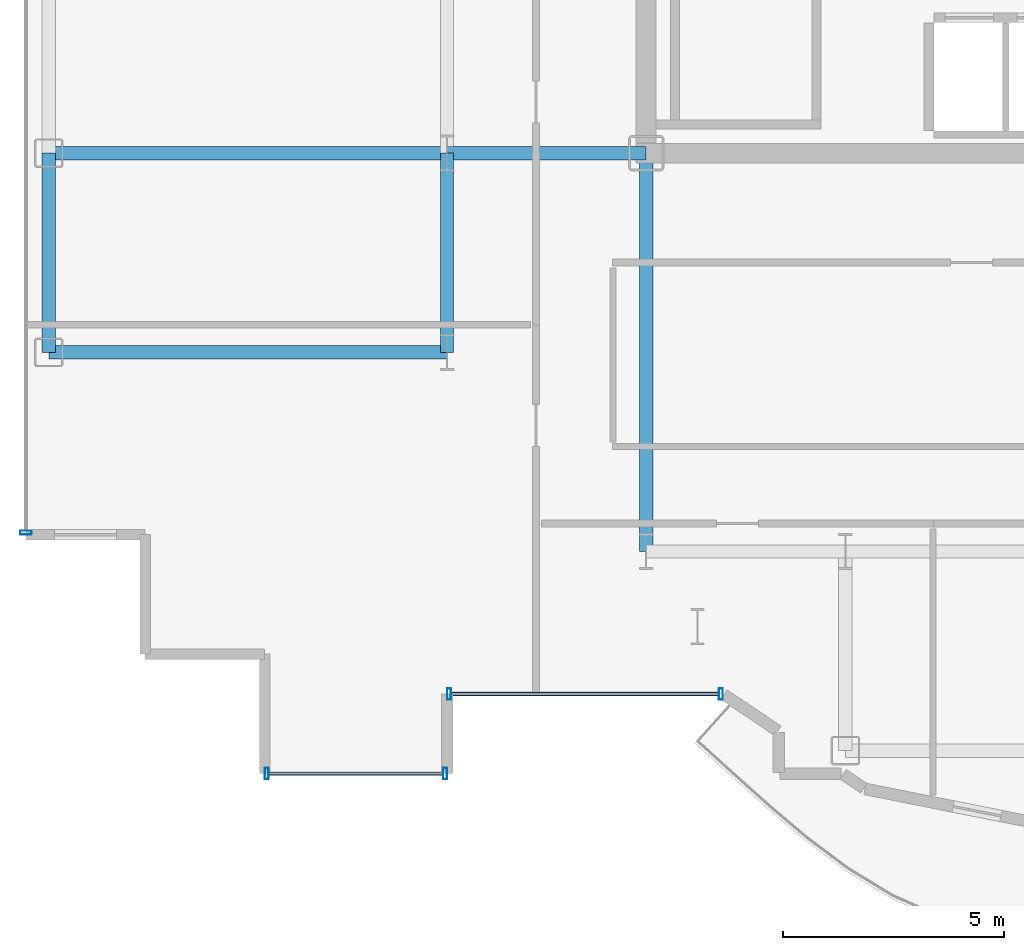
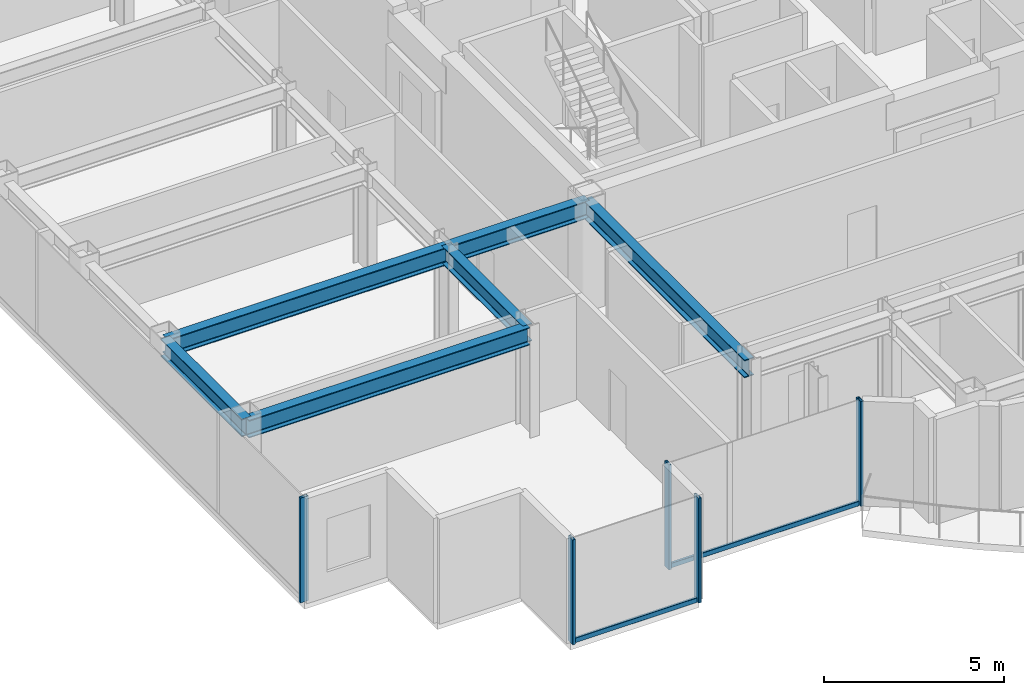
# One storey, part 2 of 20: 7 members, 6 beams, 3 elements without a shape of their own.
"""IFC4 building model written with IfcOpenShell, lengths in metres."""

from ifc_helpers import new_model, si_unit, direction, frame, origin, origin_2d, place, context, subcontext, project, spatial, hollow_rectangle, i_section, extrude, source, transform, mapped, material, layer, layer_set, material_profile, profile_set, type_object, element, aggregate, save


model = new_model("IFC4")

# Units and contexts
model_context = context("Model", 3, precision=1e-05, world=origin(), true_north=direction((0.0, 1.0)))
body_context = subcontext(model_context, "Body", "Model", "MODEL_VIEW")
ifc_project = project(units=[si_unit("LENGTHUNIT", "METRE"), si_unit("AREAUNIT", "SQUARE_METRE"), si_unit("VOLUMEUNIT", "CUBIC_METRE"), si_unit("PLANEANGLEUNIT", "RADIAN"), si_unit("MASSUNIT", "GRAM", prefix="KILO")], contexts=[model_context])

# Site, building, storey
site_placement = place(None, origin())
site = spatial("IfcSite", under=ifc_project, at=site_placement, CompositionType="ELEMENT")
building_placement = place(site_placement, origin())
building = spatial("IfcBuilding", under=site, at=building_placement, Name="Nefas-Gora Pilgrimage Tower", CompositionType="ELEMENT")
storey_placement = place(building_placement, frame((0.0, 0.0, 225.60009765625)))
storey = spatial("IfcBuildingStorey", under=building, at=storey_placement, Name="L56", CompositionType="ELEMENT", Elevation=225.60009765625)

# Beams
ifc_material_1 = material(Name="Steel S355", Category="steel")
ifc_material_profile_1 = material_profile(ifc_material_1, i_section(OverallWidth=0.300048828125, OverallDepth=0.60009765625, WebThickness=0.015380859375, FlangeThickness=0.030029296875, FilletRadius=0.027099609375, at=origin_2d()), Name="HEB 600")
ifc_profile_set_1 = profile_set([ifc_material_profile_1], Name="Steel S355")
beam_type_1 = type_object("IfcBeamType", Name="BM-SPN-HEB450", PredefinedType="SPANDREL", material=ifc_profile_set_1)
shared_shape_1 = source(origin(), body_context, "Body", "SweptSolid", [
    extrude(i_section(OverallWidth=0.300048828125, OverallDepth=0.60009765625, WebThickness=0.015380859375, FlangeThickness=0.030029296875, FilletRadius=0.027099609375, at=origin_2d()), origin(), (0.0, 0.0, 1.0), 4.5),
])
beam_placement = place(storey_placement, frame((-24.75, -13.5, 3.25), z_axis=(0.0, 1.0, 0.0), x_axis=(-1.0, 0.0, 0.0)))
element("IfcBeam", 1, at=beam_placement, inside=storey, type_object=beam_type_1, Name="L56 SP-03 beam", PredefinedType="SPANDREL", context=body_context, shape_type="MappedRepresentation", body=[
    mapped(shared_shape_1, transform((0.0, 0.0, 0.0), x_axis=(1.0, 0.0, 0.0), y_axis=(0.0, 1.0, 0.0), z_axis=(0.0, 0.0, 1.0), scale=1.0)),
])
ifc_material_profile_2 = material_profile(ifc_material_1, i_section(OverallWidth=0.300048828125, OverallDepth=0.60009765625, WebThickness=0.015380859375, FlangeThickness=0.030029296875, FilletRadius=0.027099609375, at=origin_2d()), Name="HEB 600")
ifc_profile_set_2 = profile_set([ifc_material_profile_2], Name="Steel S355")
beam_type_2 = type_object("IfcBeamType", Name="BM-GIR-HEB600", PredefinedType="BEAM", material=ifc_profile_set_2)
shared_shape_2 = source(origin(), body_context, "Body", "SweptSolid", [
    extrude(i_section(OverallWidth=0.300048828125, OverallDepth=0.60009765625, WebThickness=0.015380859375, FlangeThickness=0.030029296875, FilletRadius=0.027099609375, at=origin_2d()), origin(), (0.0, 0.0, 1.0), 9.0),
])
for number, where, z_axis, x_axis, name in (
    (2, (-24.75, -13.5, 3.25), (1.0, 0.0, 0.0), (0.0, 1.0, 0.0), "L56 G-04 beam"),
    (3, (-24.75, -9.0, 3.25), (1.0, 0.0, 0.0), (0.0, 1.0, 0.0), "L56 G-04 beam"),
    (4, (-11.25, -18.0, 3.25), (0.0, 1.0, 0.0), (-1.0, 0.0, 0.0), "L56 G-04 beam"),
):
    element("IfcBeam", number, at=place(storey_placement, frame(where, z_axis=z_axis, x_axis=x_axis)), inside=storey, type_object=beam_type_2, Name=name, PredefinedType="BEAM", context=body_context, shape_type="MappedRepresentation", body=[
        mapped(shared_shape_2, transform((0.0, 0.0, 0.0), x_axis=(1.0, 0.0, 0.0), y_axis=(0.0, 1.0, 0.0), z_axis=(0.0, 0.0, 1.0), scale=1.0)),
    ])
shared_shape_3 = source(origin(), body_context, "Body", "SweptSolid", [
    extrude(i_section(OverallWidth=0.300048828125, OverallDepth=0.60009765625, WebThickness=0.015380859375, FlangeThickness=0.030029296875, FilletRadius=0.027099609375, at=origin_2d()), origin(), (0.0, 0.0, 1.0), 4.5),
])
for number, where, z_axis, x_axis, name in (
    (5, (-15.75, -13.5, 3.25), (0.0, 1.0, 0.0), (-1.0, 0.0, 0.0), "L56 G-04 beam"),
    (6, (-15.75, -9.0, 3.25), (1.0, 0.0, 0.0), (0.0, 1.0, 0.0), "L56 G-04 beam"),
):
    element("IfcBeam", number, at=place(storey_placement, frame(where, z_axis=z_axis, x_axis=x_axis)), inside=storey, type_object=beam_type_2, Name=name, PredefinedType="BEAM", context=body_context, shape_type="MappedRepresentation", body=[
        mapped(shared_shape_3, transform((0.0, 0.0, 0.0), x_axis=(1.0, 0.0, 0.0), y_axis=(0.0, 1.0, 0.0), z_axis=(0.0, 0.0, 1.0), scale=1.0)),
    ])

# Curtain wall, members
ifc_material_2 = material(Name="Dark ceramic-fritted solar-control aluminium-glass curtain wall", Category="aluminium")
ifc_layer_1 = layer(ifc_material_2, 0.219970703125)
ifc_layer_set_1 = layer_set([ifc_layer_1], Name="Dark ceramic-fritted solar-control aluminium-glass curtain wall")
curtain_wall_type_1 = type_object("IfcCurtainWallType", Name="CW-SYS-5", PredefinedType="NOTDEFINED", material=ifc_layer_set_1)
curtain_wall_1_placement = place(storey_placement, origin())
curtain_wall_1 = element("IfcCurtainWall", 7, at=curtain_wall_1_placement, inside=storey, type_object=curtain_wall_type_1, Name="L56 Unitised Curtain Wall CW5", PredefinedType="NOTDEFINED")
ifc_material_3 = material(Name="Anodised architectural aluminium", Category="aluminium")
ifc_material_profile_3 = material_profile(ifc_material_3, hollow_rectangle(XDim=0.080078125, YDim=0.159912109375, WallThickness=0.00439453125, InnerFilletRadius=0.00439453125, OuterFilletRadius=0.009033203125, at=origin_2d()), Name="ALU TRANSOM 80x160")
ifc_profile_set_3 = profile_set([ifc_material_profile_3], Name="Anodised architectural aluminium")
member_type_1 = type_object("IfcMemberType", Name="CWM-TRN-5", PredefinedType="USERDEFINED", material=ifc_profile_set_3)
shared_shape_4 = source(origin(), body_context, "Body", "SweptSolid", [
    extrude(hollow_rectangle(XDim=0.080078125, YDim=0.159912109375, WallThickness=0.00439453125, InnerFilletRadius=0.00439453125, OuterFilletRadius=0.009033203125, at=origin_2d()), origin(), (0.0, 0.0, 1.0), 6.052001953125),
])
member_1_placement = place(storey_placement, frame((-15.659912109375, -21.219970703125, 0.0498046875), z_axis=(1.0, 0.0, 0.0), x_axis=(0.0, 1.0, 0.0)))
member_1 = element("IfcMember", 8, at=member_1_placement, type_object=member_type_1, Name="CW5 Spandrel Transom", ObjectType="TRANSOM", PredefinedType="USERDEFINED", context=body_context, shape_type="MappedRepresentation", body=[
    mapped(shared_shape_4, transform((0.0, 0.0, 0.0), x_axis=(1.0, 0.0, 0.0), y_axis=(0.0, 1.0, 0.0), z_axis=(0.0, 0.0, 1.0), scale=1.0)),
])
ifc_material_profile_4 = material_profile(ifc_material_3, hollow_rectangle(XDim=0.090087890625, YDim=0.260009765625, WallThickness=0.006103515625, InnerFilletRadius=0.006103515625, OuterFilletRadius=0.011962890625, at=origin_2d()), Name="ALU MULLION 90x260")
ifc_profile_set_4 = profile_set([ifc_material_profile_4], Name="Anodised architectural aluminium")
member_type_2 = type_object("IfcMemberType", Name="CWM-MUL-5", PredefinedType="MULLION", material=ifc_profile_set_4)
shared_shape_5 = source(origin(), body_context, "Body", "SweptSolid", [
    extrude(hollow_rectangle(XDim=0.090087890625, YDim=0.260009765625, WallThickness=0.006103515625, InnerFilletRadius=0.006103515625, OuterFilletRadius=0.011962890625, at=origin_2d()), origin(), (0.0, 0.0, 1.0), 3.5498046875),
])
member_2_placement = place(storey_placement, frame((-15.705078125, -21.219970703125, 0.0), z_axis=(0.0, 0.0, 1.0), x_axis=(1.0, 0.0, 0.0)))
member_2 = element("IfcMember", 9, at=member_2_placement, type_object=member_type_2, Name="CW5 Mullion 1", PredefinedType="MULLION", context=body_context, shape_type="MappedRepresentation", body=[
    mapped(shared_shape_5, transform((0.0, 0.0, 0.0), x_axis=(1.0, 0.0, 0.0), y_axis=(0.0, 1.0, 0.0), z_axis=(0.0, 0.0, 1.0), scale=1.0)),
])
member_3_placement = place(storey_placement, frame((-9.56298828125, -21.219970703125, 0.0), z_axis=(0.0, 0.0, 1.0), x_axis=(1.0, 0.0, 0.0)))
member_3 = element("IfcMember", 10, at=member_3_placement, type_object=member_type_2, Name="CW5 Mullion 2", PredefinedType="MULLION", context=body_context, shape_type="MappedRepresentation", body=[
    mapped(shared_shape_5, transform((0.0, 0.0, 0.0), x_axis=(1.0, 0.0, 0.0), y_axis=(0.0, 1.0, 0.0), z_axis=(0.0, 0.0, 1.0), scale=1.0)),
])
aggregate(curtain_wall_1, [member_2, member_3, member_1])

# Curtain wall, member
ifc_layer_2 = layer(ifc_material_2, 0.219970703125)
ifc_layer_set_2 = layer_set([ifc_layer_2], Name="Dark ceramic-fritted solar-control aluminium-glass curtain wall")
curtain_wall_type_2 = type_object("IfcCurtainWallType", Name="CW-SYS-3", PredefinedType="NOTDEFINED", material=ifc_layer_set_2)
curtain_wall_2_placement = place(storey_placement, origin())
curtain_wall_2 = element("IfcCurtainWall", 11, at=curtain_wall_2_placement, inside=storey, type_object=curtain_wall_type_2, Name="L56 Unitised Curtain Wall CW3", PredefinedType="NOTDEFINED")
ifc_material_profile_5 = material_profile(ifc_material_3, hollow_rectangle(XDim=0.090087890625, YDim=0.260009765625, WallThickness=0.006103515625, InnerFilletRadius=0.006103515625, OuterFilletRadius=0.011962890625, at=origin_2d()), Name="ALU MULLION 90x260")
ifc_profile_set_5 = profile_set([ifc_material_profile_5], Name="Anodised architectural aluminium")
member_type_3 = type_object("IfcMemberType", Name="CWM-MUL-3", PredefinedType="MULLION", material=ifc_profile_set_5)
shared_shape_6 = source(origin(), body_context, "Body", "SweptSolid", [
    extrude(hollow_rectangle(XDim=0.090087890625, YDim=0.260009765625, WallThickness=0.006103515625, InnerFilletRadius=0.006103515625, OuterFilletRadius=0.011962890625, at=origin_2d()), origin(), (0.0, 0.0, 1.0), 3.5498046875),
])
member_4_placement = place(storey_placement, frame((-25.27001953125, -17.574951171875, 0.0), z_axis=(0.0, 0.0, 1.0), x_axis=(0.0, -1.0, 0.0)))
member_4 = element("IfcMember", 12, at=member_4_placement, type_object=member_type_3, Name="CW3 Mullion 2", PredefinedType="MULLION", context=body_context, shape_type="MappedRepresentation", body=[
    mapped(shared_shape_6, transform((0.0, 0.0, 0.0), x_axis=(1.0, 0.0, 0.0), y_axis=(0.0, 1.0, 0.0), z_axis=(0.0, 0.0, 1.0), scale=1.0)),
])
aggregate(curtain_wall_2, [member_4])

# Curtain wall, members
curtain_wall_3_placement = place(storey_placement, origin())
curtain_wall_3 = element("IfcCurtainWall", 13, at=curtain_wall_3_placement, inside=storey, type_object=curtain_wall_type_2, Name="L56 Unitised Curtain Wall CW3", PredefinedType="NOTDEFINED")
member_5_placement = place(storey_placement, frame((-19.824951171875, -23.02001953125, 0.0), z_axis=(0.0, 0.0, 1.0), x_axis=(1.0, 0.0, 0.0)))
member_5 = element("IfcMember", 14, at=member_5_placement, type_object=member_type_3, Name="CW3 Mullion 1", PredefinedType="MULLION", context=body_context, shape_type="MappedRepresentation", body=[
    mapped(shared_shape_6, transform((0.0, 0.0, 0.0), x_axis=(1.0, 0.0, 0.0), y_axis=(0.0, 1.0, 0.0), z_axis=(0.0, 0.0, 1.0), scale=1.0)),
])
member_6_placement = place(storey_placement, frame((-15.794921875, -23.02001953125, 0.0), z_axis=(0.0, 0.0, 1.0), x_axis=(1.0, 0.0, 0.0)))
member_6 = element("IfcMember", 15, at=member_6_placement, type_object=member_type_3, Name="CW3 Mullion 2", PredefinedType="MULLION", context=body_context, shape_type="MappedRepresentation", body=[
    mapped(shared_shape_6, transform((0.0, 0.0, 0.0), x_axis=(1.0, 0.0, 0.0), y_axis=(0.0, 1.0, 0.0), z_axis=(0.0, 0.0, 1.0), scale=1.0)),
])
ifc_material_profile_6 = material_profile(ifc_material_3, hollow_rectangle(XDim=0.080078125, YDim=0.159912109375, WallThickness=0.00439453125, InnerFilletRadius=0.00439453125, OuterFilletRadius=0.009033203125, at=origin_2d()), Name="ALU TRANSOM 80x160")
ifc_profile_set_6 = profile_set([ifc_material_profile_6], Name="Anodised architectural aluminium")
member_type_4 = type_object("IfcMemberType", Name="CWM-TRN-3", PredefinedType="USERDEFINED", material=ifc_profile_set_6)
shared_shape_7 = source(origin(), body_context, "Body", "SweptSolid", [
    extrude(hollow_rectangle(XDim=0.080078125, YDim=0.159912109375, WallThickness=0.00439453125, InnerFilletRadius=0.00439453125, OuterFilletRadius=0.009033203125, at=origin_2d()), origin(), (0.0, 0.0, 1.0), 3.93994140625),
])
member_7_placement = place(storey_placement, frame((-19.780029296875, -23.02001953125, 0.0498046875), z_axis=(1.0, 0.0, 0.0), x_axis=(0.0, 1.0, 0.0)))
member_7 = element("IfcMember", 16, at=member_7_placement, type_object=member_type_4, Name="CW3 Spandrel Transom", ObjectType="TRANSOM", PredefinedType="USERDEFINED", context=body_context, shape_type="MappedRepresentation", body=[
    mapped(shared_shape_7, transform((0.0, 0.0, 0.0), x_axis=(1.0, 0.0, 0.0), y_axis=(0.0, 1.0, 0.0), z_axis=(0.0, 0.0, 1.0), scale=1.0)),
])
aggregate(curtain_wall_3, [member_5, member_6, member_7])

save(model, "model.ifc")
